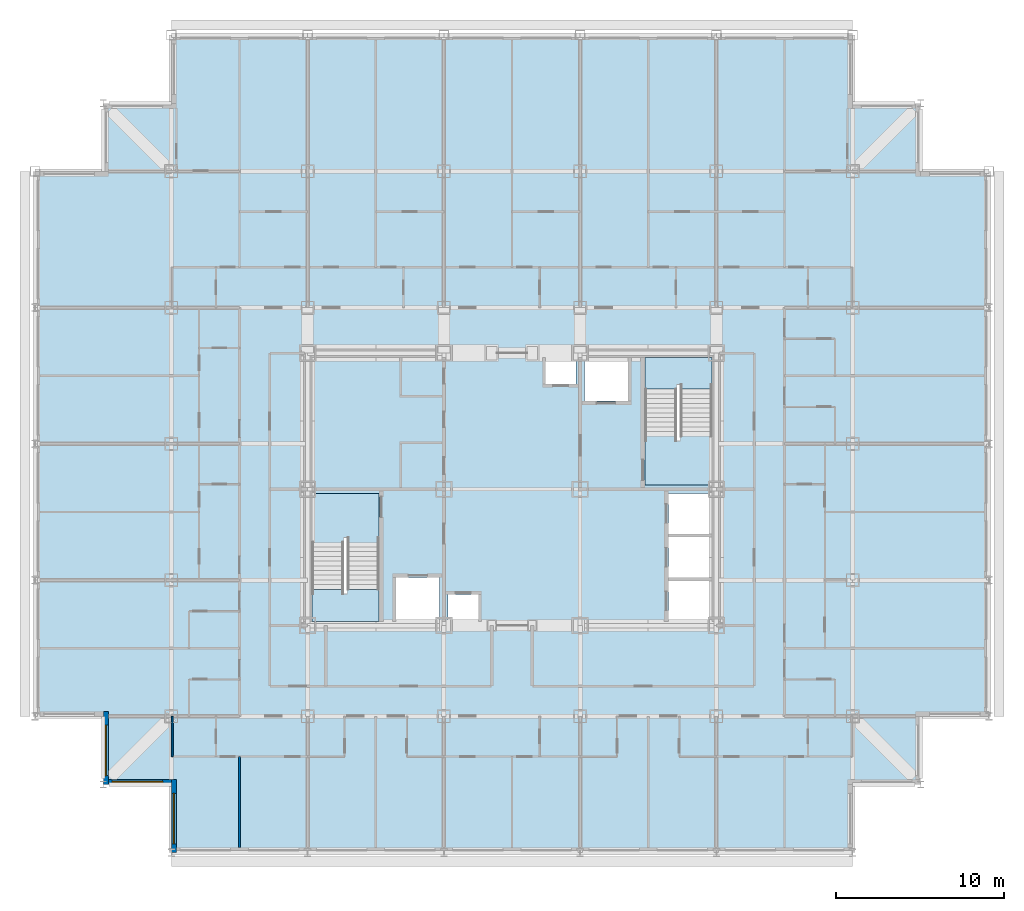
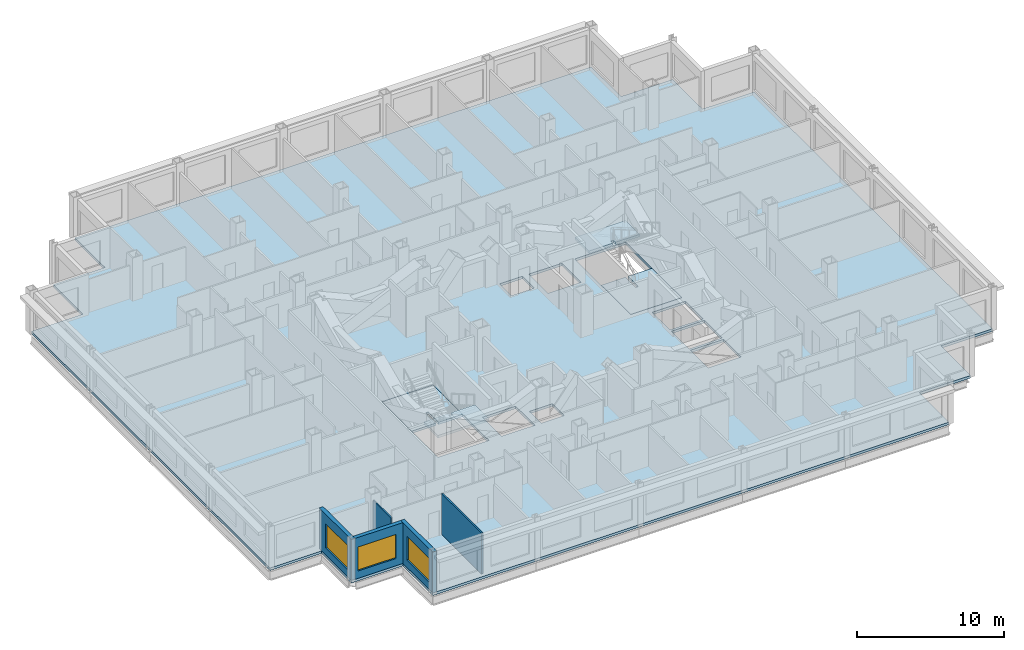
# One storey, part 3 of 12: 5 slabs, 5 walls, 3 windows, 3 openings, 2 elements without a shape of their own.
"""IFC4 building model written with IfcOpenShell, lengths in metres."""

from ifc_helpers import new_model, si_unit, direction, frame, frame_2d, origin, place, context, subcontext, project, spatial, polyline, rectangle, outline, extrude, material, layer, layer_set, type_object, element, fill, aggregate, save


model = new_model("IFC4")

# Units and contexts
model_context = context("Model", 3, precision=1e-05, world=origin(), true_north=direction((0.0, 1.0)))
body_context = subcontext(model_context, "Body", "Model", "MODEL_VIEW")
ifc_project = project(units=[si_unit("LENGTHUNIT", "METRE"), si_unit("AREAUNIT", "SQUARE_METRE"), si_unit("VOLUMEUNIT", "CUBIC_METRE"), si_unit("PLANEANGLEUNIT", "RADIAN"), si_unit("MASSUNIT", "GRAM", prefix="KILO")], contexts=[model_context])

# Site, building, storey
site_placement = place(None, origin())
site = spatial("IfcSite", under=ifc_project, at=site_placement, CompositionType="ELEMENT")
building_placement = place(site_placement, origin())
building = spatial("IfcBuilding", under=site, at=building_placement, Name="Kopane Lantern Tower", CompositionType="ELEMENT")
storey_placement = place(building_placement, frame((0.0, 0.0, 170.39990234375)))
storey = spatial("IfcBuildingStorey", under=building, at=storey_placement, Name="L43", CompositionType="ELEMENT", Elevation=170.39990234375)

# Slab
ifc_material_1 = material(Name="Concrete C40/50", Category="concrete")
ifc_layer_1 = layer(ifc_material_1, 0.2099609375)
ifc_layer_set_1 = layer_set([ifc_layer_1], Name="SLAB 210 COMPOSITE")
slab_type_1 = type_object("IfcSlabType", Name="SLAB 210 COMPOSITE", PredefinedType="FLOOR", material=ifc_layer_set_1)
slab_1_placement = place(storey_placement, frame((0.0, 0.0, -0.2099609375)))
element("IfcSlab", 1, at=slab_1_placement, inside=storey, type_object=slab_type_1, Name="Floor slab L43", PredefinedType="FLOOR", context=body_context, shape_type="SweptSolid", body=[
    extrude(outline(polyline([(8.10009765625, 10.800048828125), (48.60009765625, 10.800048828125), (48.60009765625, 14.85009765625), (52.64990234375, 14.85009765625), (52.64990234375, 18.89990234375), (56.699951171875, 18.89990234375), (56.699951171875, 51.300048828125), (52.64990234375, 51.300048828125), (52.64990234375, 55.35009765625), (48.60009765625, 55.35009765625), (48.60009765625, 59.39990234375), (8.10009765625, 59.39990234375), (8.10009765625, 55.35009765625), (4.050048828125, 55.35009765625), (4.050048828125, 51.300048828125), (0.0, 51.300048828125), (0.0, 18.89990234375), (4.050048828125, 18.89990234375), (4.050048828125, 14.85009765625), (8.10009765625, 14.85009765625), (8.10009765625, 10.800048828125)]), holes=[polyline([(16.449951171875, 24.550048828125), (20.449951171875, 24.550048828125), (20.449951171875, 32.14990234375), (16.449951171875, 32.14990234375), (16.449951171875, 24.550048828125)]), polyline([(36.25, 32.64990234375), (40.25, 32.64990234375), (40.25, 40.25), (36.25, 40.25), (36.25, 32.64990234375)]), polyline([(37.64990234375, 24.550048828125), (40.25, 24.550048828125), (40.25, 26.949951171875), (37.64990234375, 26.949951171875), (37.64990234375, 24.550048828125)]), polyline([(37.64990234375, 27.14990234375), (40.25, 27.14990234375), (40.25, 29.550048828125), (37.64990234375, 29.550048828125), (37.64990234375, 27.14990234375)]), polyline([(37.64990234375, 29.75), (40.25, 29.75), (40.25, 32.14990234375), (37.64990234375, 32.14990234375), (37.64990234375, 29.75)]), polyline([(21.449951171875, 24.550048828125), (24.050048828125, 24.550048828125), (24.050048828125, 27.14990234375), (21.449951171875, 27.14990234375), (21.449951171875, 24.550048828125)]), polyline([(32.64990234375, 37.64990234375), (35.25, 37.64990234375), (35.25, 40.25), (32.64990234375, 40.25), (32.64990234375, 37.64990234375)]), polyline([(24.550048828125, 24.550048828125), (26.35009765625, 24.550048828125), (26.35009765625, 26.14990234375), (24.550048828125, 26.14990234375), (24.550048828125, 24.550048828125)]), polyline([(30.35009765625, 38.64990234375), (32.14990234375, 38.64990234375), (32.14990234375, 40.25), (30.35009765625, 40.25), (30.35009765625, 38.64990234375)])]), origin(), (0.0, 0.0, 1.0), 0.2099609375),
])

# Stair, slabs
ifc_material_2 = material(Name="Steel S355JR", Category="steel")
stair_type = type_object("IfcStairType", Name="EXIT STAIR 1900 HALF TURN", PredefinedType="HALF_TURN_STAIR", material=ifc_material_2)
stair_1_placement = place(storey_placement, origin())
stair_1 = element("IfcStair", 2, at=stair_1_placement, inside=storey, type_object=stair_type, Name="Exit stair ST1 L43", PredefinedType="HALF_TURN_STAIR")
ifc_material_3 = material(Name="Concrete C40/50", Category="concrete")
ifc_layer_2 = layer(ifc_material_3, 0.199951171875)
ifc_layer_set_2 = layer_set([ifc_layer_2], Name="STAIR LANDING 200")
slab_type_2 = type_object("IfcSlabType", Name="STAIR LANDING 200", PredefinedType="LANDING", material=ifc_layer_set_2)
slab_2_placement = place(storey_placement, frame((0.0, 0.0, -0.199951171875)))
slab_2 = element("IfcSlab", 3, at=slab_2_placement, type_object=slab_type_2, Name="ST1 landing 1", PredefinedType="LANDING", context=body_context, shape_type="SweptSolid", body=[
    extrude(outline(polyline([(18.35009765625, 29.530029296875), (18.550048828125, 29.530029296875), (18.550048828125, 28.1298828125), (20.449951171875, 28.1298828125), (20.449951171875, 32.14990234375), (16.449951171875, 32.14990234375), (16.449951171875, 28.1298828125), (18.35009765625, 28.1298828125), (18.35009765625, 29.530029296875)])), origin(), (0.0, 0.0, 1.0), 0.199951171875),
])
slab_3_placement = place(storey_placement, frame((0.0, 0.0, 1.60009765625)))
slab_3 = element("IfcSlab", 4, at=slab_3_placement, type_object=slab_type_2, Name="ST1 landing 2", PredefinedType="LANDING", context=body_context, shape_type="SweptSolid", body=[
    extrude(outline(polyline([(20.449951171875, 26.449951171875), (18.550048828125, 26.449951171875), (18.550048828125, 26.169921875), (18.35009765625, 26.169921875), (18.35009765625, 26.449951171875), (16.449951171875, 26.449951171875), (16.449951171875, 24.550048828125), (20.449951171875, 24.550048828125), (20.449951171875, 26.449951171875)])), origin(), (0.0, 0.0, 1.0), 0.199951171875),
])
aggregate(stair_1, [slab_2, slab_3])

stair_2_placement = place(storey_placement, origin())
stair_2 = element("IfcStair", 5, at=stair_2_placement, inside=storey, type_object=stair_type, Name="Exit stair ST2 L43", PredefinedType="HALF_TURN_STAIR")
slab_4_placement = place(storey_placement, frame((0.0, 0.0, -0.199951171875)))
slab_4 = element("IfcSlab", 6, at=slab_4_placement, type_object=slab_type_2, Name="ST2 landing 1", PredefinedType="LANDING", context=body_context, shape_type="SweptSolid", body=[
    extrude(outline(polyline([(40.25, 36.669921875), (38.35009765625, 36.669921875), (38.35009765625, 35.27001953125), (38.14990234375, 35.27001953125), (38.14990234375, 36.669921875), (36.25, 36.669921875), (36.25, 32.64990234375), (40.25, 32.64990234375), (40.25, 36.669921875)])), origin(), (0.0, 0.0, 1.0), 0.199951171875),
])
slab_5_placement = place(storey_placement, frame((0.0, 0.0, 1.60009765625)))
slab_5 = element("IfcSlab", 7, at=slab_5_placement, type_object=slab_type_2, Name="ST2 landing 2", PredefinedType="LANDING", context=body_context, shape_type="SweptSolid", body=[
    extrude(outline(polyline([(38.14990234375, 38.6298828125), (38.35009765625, 38.6298828125), (38.35009765625, 38.35009765625), (40.25, 38.35009765625), (40.25, 40.25), (36.25, 40.25), (36.25, 38.35009765625), (38.14990234375, 38.35009765625), (38.14990234375, 38.6298828125)])), origin(), (0.0, 0.0, 1.0), 0.199951171875),
])
aggregate(stair_2, [slab_4, slab_5])

# Walls
ifc_material_4 = material(Name="Gypsum board on steel studs", Category="steel")
ifc_layer_3 = layer(ifc_material_4, 0.1201171875)
ifc_layer_set_3 = layer_set([ifc_layer_3], Name="APARTMENT INTERNAL WALL 120")
wall_type_1 = type_object("IfcWallType", Name="APARTMENT INTERNAL WALL 120", PredefinedType="PARTITIONING", material=ifc_layer_set_3)
wall_1_placement = place(storey_placement, frame((12.14990234375, 16.5, 0.0), z_axis=(0.0, 0.0, 1.0), x_axis=(0.0, -1.0, 0.0)))
element("IfcWall", 8, at=wall_1_placement, inside=storey, type_object=wall_type_1, Name="Apartment Internal Wall 120 L43", PredefinedType="PARTITIONING", context=body_context, shape_type="SweptSolid", body=[
    extrude(rectangle(XDim=5.39990234375, YDim=0.1201171875, at=frame_2d((2.699951171875, 0.0))), origin(), (0.0, 0.0, 1.0), 3.39013671875),
])
ifc_material_5 = material(Name="Moisture-resistant board on steel studs", Category="steel")
ifc_layer_4 = layer(ifc_material_5, 0.10009765625)
ifc_layer_set_4 = layer_set([ifc_layer_4], Name="BATHROOM WALL 100")
wall_type_2 = type_object("IfcWallType", Name="BATHROOM WALL 100", PredefinedType="PARTITIONING", material=ifc_layer_set_4)
wall_2_placement = place(storey_placement, frame((8.14990234375, 18.89990234375, 0.0), z_axis=(0.0, 0.0, 1.0), x_axis=(0.0, -1.0, 0.0)))
element("IfcWall", 9, at=wall_2_placement, inside=storey, type_object=wall_type_2, Name="Bathroom Wall 100 L43", PredefinedType="PARTITIONING", context=body_context, shape_type="SweptSolid", body=[
    extrude(rectangle(XDim=2.39990234375, YDim=0.10009765625, at=frame_2d((1.199951171875, 0.0))), origin(), (0.0, 0.0, 1.0), 2.77783203125),
])

# Wall, opening, window
ifc_material_6 = material(Name="Terracotta rainscreen on light steel framing", Category="masonry")
ifc_layer_5 = layer(ifc_material_6, 0.300048828125)
ifc_layer_set_5 = layer_set([ifc_layer_5], Name="EXTERNAL WALL EW1 300 TERRACOTTA")
wall_type_3 = type_object("IfcWallType", Name="EXTERNAL WALL EW1 300 TERRACOTTA", PredefinedType="SOLIDWALL", material=ifc_layer_set_5)
wall_3_placement = place(storey_placement, frame((4.199951171875, 19.199951171875, 0.0), z_axis=(0.0, 0.0, 1.0), x_axis=(0.0, -1.0, 0.0)))
wall_3 = element("IfcWall", 10, at=wall_3_placement, inside=storey, type_object=wall_type_3, Name="External wall W L43", PredefinedType="SOLIDWALL", context=body_context, shape_type="SweptSolid", body=[
    extrude(rectangle(XDim=4.349853515625, YDim=0.300048828125, at=frame_2d((2.1748046875, 0.0))), origin(), (0.0, 0.0, 1.0), 3.39013671875),
])
opening_1_placement = place(wall_3_placement, frame((0.824951171875, 0.0, 0.60009765625)))
opening_1 = element("IfcOpeningElement", 11, at=opening_1_placement, cuts=wall_3, Name="Opening WR300200", PredefinedType="OPENING", context=body_context, shape_type="SweptSolid", body=[
    extrude(rectangle(XDim=3.0, YDim=2.0, at=frame_2d((1.5, 1.0))), frame((0.0, 0.159912109375, 0.0), z_axis=(0.0, -1.0, 0.0), x_axis=(1.0, 0.0, 0.0)), (0.0, 0.0, 1.0), 0.320068359375),
])
ifc_material_7 = material(Name="Aluminium and clear glass", Category="aluminium")
window_type = type_object("IfcWindowType", Name="RIBBON WINDOW WR300200 3000x2000", PartitioningType="SINGLE_PANEL", PredefinedType="WINDOW", material=ifc_material_7)
window_1_placement = place(opening_1_placement, origin())
window_1 = element("IfcWindow", 12, at=window_1_placement, inside=storey, type_object=window_type, Name="Window W L43", OverallHeight=2.0, OverallWidth=3.0, PartitioningType="SINGLE_PANEL", PredefinedType="WINDOW", context=body_context, shape_type="SweptSolid", body=[
    extrude(rectangle(XDim=3.0, YDim=2.0, at=frame_2d((1.5, 1.0))), frame((0.0, 0.030029296875, 0.0), z_axis=(0.0, -1.0, 0.0), x_axis=(1.0, 0.0, 0.0)), (0.0, 0.0, 1.0), 0.06005859375),
])
fill(opening_1, window_1)

wall_4_placement = place(storey_placement, frame((4.35009765625, 15.0, 0.0), z_axis=(0.0, 0.0, 1.0), x_axis=(1.0, 0.0, 0.0)))
wall_4 = element("IfcWall", 13, at=wall_4_placement, inside=storey, type_object=wall_type_3, Name="External wall S L43", PredefinedType="SOLIDWALL", context=body_context, shape_type="SweptSolid", body=[
    extrude(rectangle(XDim=3.75, YDim=0.300048828125, at=frame_2d((1.875, 0.0))), origin(), (0.0, 0.0, 1.0), 3.39013671875),
])
opening_2_placement = place(wall_4_placement, frame((0.22509765625, 0.0, 0.60009765625)))
opening_2 = element("IfcOpeningElement", 14, at=opening_2_placement, cuts=wall_4, Name="Opening WR300200", PredefinedType="OPENING", context=body_context, shape_type="SweptSolid", body=[
    extrude(rectangle(XDim=3.0, YDim=2.0, at=frame_2d((1.5, 1.0))), frame((0.0, 0.159912109375, 0.0), z_axis=(0.0, -1.0, 0.0), x_axis=(1.0, 0.0, 0.0)), (0.0, 0.0, 1.0), 0.320068359375),
])
window_2_placement = place(opening_2_placement, origin())
window_2 = element("IfcWindow", 15, at=window_2_placement, inside=storey, type_object=window_type, Name="Window S L43", OverallHeight=2.0, OverallWidth=3.0, PartitioningType="SINGLE_PANEL", PredefinedType="WINDOW", context=body_context, shape_type="SweptSolid", body=[
    extrude(rectangle(XDim=3.0, YDim=2.0, at=frame_2d((1.5, 1.0))), frame((0.0, 0.030029296875, 0.0), z_axis=(0.0, -1.0, 0.0), x_axis=(1.0, 0.0, 0.0)), (0.0, 0.0, 1.0), 0.06005859375),
])
fill(opening_2, window_2)

wall_5_placement = place(storey_placement, frame((8.25, 15.14990234375, 0.0), z_axis=(0.0, 0.0, 1.0), x_axis=(0.0, -1.0, 0.0)))
wall_5 = element("IfcWall", 16, at=wall_5_placement, inside=storey, type_object=wall_type_3, Name="External wall W L43", PredefinedType="SOLIDWALL", context=body_context, shape_type="SweptSolid", body=[
    extrude(rectangle(XDim=4.349853515625, YDim=0.300048828125, at=frame_2d((2.1748046875, 0.0))), origin(), (0.0, 0.0, 1.0), 3.39013671875),
])
opening_3_placement = place(wall_5_placement, frame((0.824951171875, 0.0, 0.60009765625)))
opening_3 = element("IfcOpeningElement", 17, at=opening_3_placement, cuts=wall_5, Name="Opening WR300200", PredefinedType="OPENING", context=body_context, shape_type="SweptSolid", body=[
    extrude(rectangle(XDim=3.0, YDim=2.0, at=frame_2d((1.5, 1.0))), frame((0.0, 0.159912109375, 0.0), z_axis=(0.0, -1.0, 0.0), x_axis=(1.0, 0.0, 0.0)), (0.0, 0.0, 1.0), 0.320068359375),
])
window_3_placement = place(opening_3_placement, origin())
window_3 = element("IfcWindow", 18, at=window_3_placement, inside=storey, type_object=window_type, Name="Window W L43", OverallHeight=2.0, OverallWidth=3.0, PartitioningType="SINGLE_PANEL", PredefinedType="WINDOW", context=body_context, shape_type="SweptSolid", body=[
    extrude(rectangle(XDim=3.0, YDim=2.0, at=frame_2d((1.5, 1.0))), frame((0.0, 0.030029296875, 0.0), z_axis=(0.0, -1.0, 0.0), x_axis=(1.0, 0.0, 0.0)), (0.0, 0.0, 1.0), 0.06005859375),
])
fill(opening_3, window_3)

save(model, "model.ifc")
